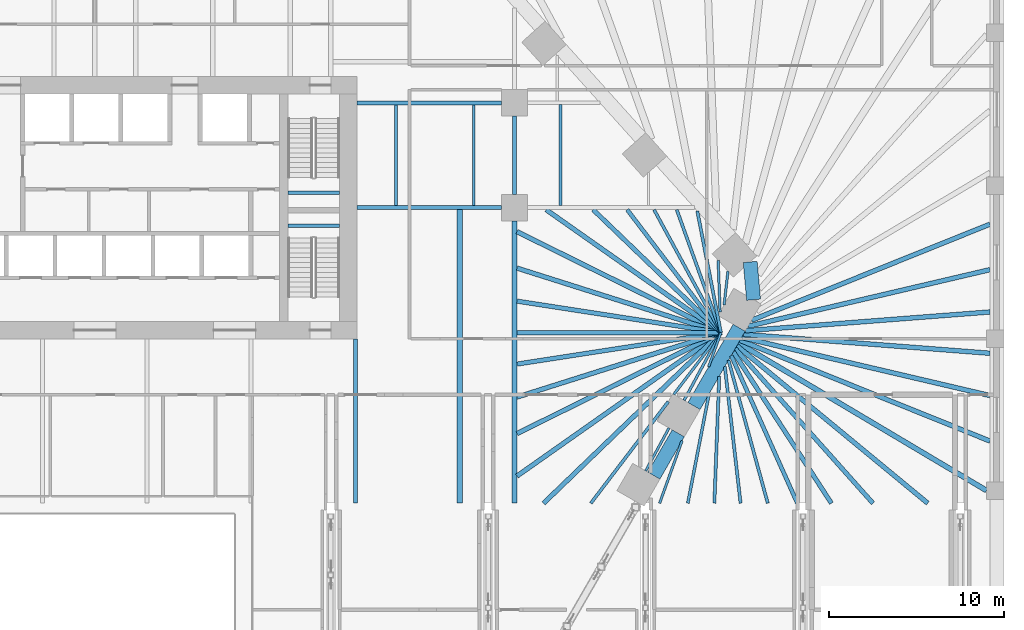
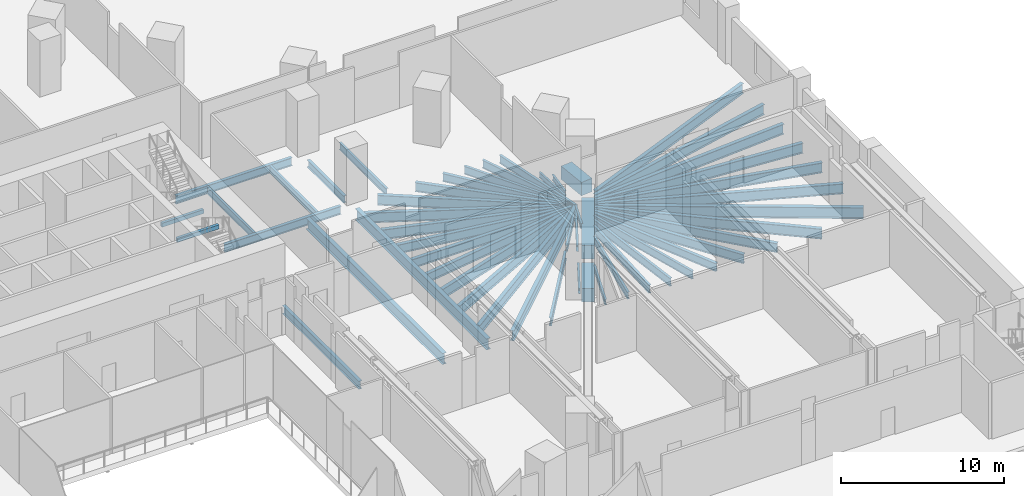
# One storey, part 9 of 32: 52 beams.
"""IFC4 building model written with IfcOpenShell, lengths in metres."""

from ifc_helpers import new_model, si_unit, direction, frame, origin, origin_2d, place, context, subcontext, project, spatial, rectangle, i_section, extrude, material, material_profile, profile_set, type_object, element, save


model = new_model("IFC4")

# Units and contexts
model_context = context("Model", 3, precision=1e-05, world=origin(), true_north=direction((0.0, 1.0)))
body_context = subcontext(model_context, "Body", "Model", "MODEL_VIEW")
ifc_project = project(units=[si_unit("LENGTHUNIT", "METRE"), si_unit("AREAUNIT", "SQUARE_METRE"), si_unit("VOLUMEUNIT", "CUBIC_METRE"), si_unit("PLANEANGLEUNIT", "RADIAN"), si_unit("MASSUNIT", "GRAM", prefix="KILO")], contexts=[model_context])

# Site, building, storey
site_placement = place(None, origin())
site = spatial("IfcSite", under=ifc_project, at=site_placement, CompositionType="ELEMENT")
building_placement = place(site_placement, origin())
building = spatial("IfcBuilding", under=site, at=building_placement, Name="Isthmus Gate Tower", CompositionType="ELEMENT")
storey_placement = place(building_placement, frame((0.0, 0.0, 18.0)))
storey = spatial("IfcBuildingStorey", under=building, at=storey_placement, Name="L02", CompositionType="ELEMENT", Elevation=18.0)

# Beams
ifc_material_1 = material(Name="Concrete f'c 70 MPa", Category="concrete")
ifc_material_profile_1 = material_profile(ifc_material_1, rectangle(XDim=0.800048828125, YDim=1.0, at=origin_2d()), Name="RC 800X1000")
ifc_profile_set_1 = profile_set([ifc_material_profile_1], Name="Concrete f'c 70 MPa")
beam_type_1 = type_object("IfcBeamType", Name="RC TUBE RING BEAM 800 X 1000", PredefinedType="BEAM", material=ifc_profile_set_1)
beam_1_placement = place(storey_placement, frame((37.483154296875, 4.40185546875, -0.89990234375), z_axis=(0.089421511639, -0.995993872098, 0.0), x_axis=(0.995993872098, 0.089421511639, 0.0)))
element("IfcBeam", 1, at=beam_1_placement, inside=storey, type_object=beam_type_1, Name="str-ringbeam-L02-05", PredefinedType="BEAM", context=body_context, shape_type="SweptSolid", body=[
    extrude(rectangle(XDim=0.800048828125, YDim=1.0, at=origin_2d()), origin(), (0.0, 0.0, 1.0), 2.17333984375),
])
beam_2_placement = place(storey_placement, frame((36.8544921875, 0.6337890625, -0.89990234375), z_axis=(-0.50000453793, -0.866022783793, 0.0), x_axis=(0.866022783793, -0.50000453793, 0.0)))
element("IfcBeam", 2, at=beam_2_placement, inside=storey, type_object=beam_type_1, Name="str-ringbeam-L02-06", PredefinedType="BEAM", context=body_context, shape_type="SweptSolid", body=[
    extrude(rectangle(XDim=0.800048828125, YDim=1.0, at=origin_2d()), origin(), (0.0, 0.0, 1.0), 5.16943359375),
])
beam_3_placement = place(storey_placement, frame((33.369873046875, -5.40185546875, -0.89990234375), z_axis=(-0.500012514453, -0.866018178441, 0.0), x_axis=(0.866018178441, -0.500012514453, 0.0)))
element("IfcBeam", 3, at=beam_3_placement, inside=storey, type_object=beam_type_1, Name="str-ringbeam-L02-07", PredefinedType="BEAM", context=body_context, shape_type="SweptSolid", body=[
    extrude(rectangle(XDim=0.800048828125, YDim=1.0, at=origin_2d()), origin(), (0.0, 0.0, 1.0), 2.79296875),
])
ifc_material_2 = material(Name="Concrete f'c 40 MPa", Category="concrete")
ifc_material_profile_2 = material_profile(ifc_material_2, rectangle(XDim=0.199951171875, YDim=0.300048828125, at=origin_2d()), Name="STAIR LANDING BEAM RC 200 X 300")
ifc_profile_set_2 = profile_set([ifc_material_profile_2], Name="Concrete f'c 40 MPa")
beam_type_2 = type_object("IfcBeamType", Name="STAIR LANDING BEAM RC 200 X 300", PredefinedType="BEAM", material=ifc_profile_set_2)
for number, where, z_axis, x_axis, name in (
    (4, (11.050048828125, 8.3701171875, 1.89990234375), (1.0, 0.0, 0.0), (0.0, 1.0, 0.0), "L02 ST2 landing beam 1"),
    (5, (11.050048828125, 6.47998046875, 1.89990234375), (1.0, 0.0, 0.0), (0.0, 1.0, 0.0), "L02 ST8 landing beam 1"),
):
    element("IfcBeam", number, at=place(storey_placement, frame(where, z_axis=z_axis, x_axis=x_axis)), inside=storey, type_object=beam_type_2, Name=name, PredefinedType="BEAM", context=body_context, shape_type="SweptSolid", body=[
        extrude(rectangle(XDim=0.199951171875, YDim=0.300048828125, at=origin_2d()), origin(), (0.0, 0.0, 1.0), 2.949951171875),
    ])
ifc_material_3 = material(Name="Structural steel ASTM A992 Gr 50", Category="steel")
ifc_material_profile_3 = material_profile(ifc_material_3, i_section(OverallWidth=0.1396484375, OverallDepth=0.4033203125, WebThickness=0.00634765625, FlangeThickness=0.010986328125, at=origin_2d()), Name="W16X31")
ifc_profile_set_3 = profile_set([ifc_material_profile_3], Name="Structural steel ASTM A992 Gr 50")
beam_type_3 = type_object("IfcBeamType", Name="STEEL FLOOR BEAM W16X31", PredefinedType="JOIST", material=ifc_profile_set_3)
beam_4_placement = place(storey_placement, frame((35.99072265625, 1.9375, -0.6015625), z_axis=(0.114647939281, 0.993406185817, 0.0), x_axis=(-0.993406185817, 0.114647939281, 0.0)))
element("IfcBeam", 6, at=beam_4_placement, inside=storey, type_object=beam_type_3, Name="str-beam-L02-18-09", PredefinedType="JOIST", context=body_context, shape_type="SweptSolid", body=[
    extrude(i_section(OverallWidth=0.1396484375, OverallDepth=0.4033203125, WebThickness=0.00634765625, FlangeThickness=0.010986328125, at=origin_2d()), origin(), (0.0, 0.0, 1.0), 1.9443359375),
])
beam_5_placement = place(storey_placement, frame((35.7626953125, 1.54296875, -0.6015625), z_axis=(-0.038261740733, 0.999267751504, 0.0), x_axis=(-0.999267751504, -0.038261740733, 0.0)))
element("IfcBeam", 7, at=beam_5_placement, inside=storey, type_object=beam_type_3, Name="str-beam-L02-18-11", PredefinedType="JOIST", context=body_context, shape_type="SweptSolid", body=[
    extrude(i_section(OverallWidth=0.1396484375, OverallDepth=0.4033203125, WebThickness=0.00634765625, FlangeThickness=0.010986328125, at=origin_2d()), origin(), (0.0, 0.0, 1.0), 2.954345703125),
])
beam_6_placement = place(storey_placement, frame((32.842041015625, -5.09716796875, -0.6015625), z_axis=(-0.477743551145, -0.878499345099, 0.0), x_axis=(0.878499345099, -0.477743551145, 0.0)))
element("IfcBeam", 8, at=beam_6_placement, inside=storey, type_object=beam_type_3, Name="str-beam-L02-18-43", PredefinedType="JOIST", context=body_context, shape_type="SweptSolid", body=[
    extrude(i_section(OverallWidth=0.1396484375, OverallDepth=0.4033203125, WebThickness=0.00634765625, FlangeThickness=0.010986328125, at=origin_2d()), origin(), (0.0, 0.0, 1.0), 2.793701171875),
])
beam_7_placement = place(storey_placement, frame((35.80810546875, 0.357421875, -0.6015625), z_axis=(-0.337988055649, -0.941150399372, 0.0), x_axis=(0.941150399372, -0.337988055649, 0.0)))
element("IfcBeam", 9, at=beam_7_placement, inside=storey, type_object=beam_type_3, Name="str-beam-L02-18-44", PredefinedType="JOIST", context=body_context, shape_type="SweptSolid", body=[
    extrude(i_section(OverallWidth=0.1396484375, OverallDepth=0.4033203125, WebThickness=0.00634765625, FlangeThickness=0.010986328125, at=origin_2d()), origin(), (0.0, 0.0, 1.0), 2.06884765625),
])
beam_8_placement = place(storey_placement, frame((33.58837890625, -5.8232421875, -0.6015625), z_axis=(-0.338036930697, -0.941132845822, 0.0), x_axis=(0.941132845822, -0.338036930697, 0.0)))
element("IfcBeam", 10, at=beam_8_placement, inside=storey, type_object=beam_type_3, Name="str-beam-L02-18-45", PredefinedType="JOIST", context=body_context, shape_type="SweptSolid", body=[
    extrude(i_section(OverallWidth=0.1396484375, OverallDepth=0.4033203125, WebThickness=0.00634765625, FlangeThickness=0.010986328125, at=origin_2d()), origin(), (0.0, 0.0, 1.0), 3.80029296875),
])
ifc_material_4 = material(Name="Structural steel ASTM A992 Gr 50", Category="steel")
ifc_material_profile_4 = material_profile(ifc_material_4, i_section(OverallWidth=0.15234375, OverallDepth=0.45068359375, WebThickness=0.0078125, FlangeThickness=0.010986328125, at=origin_2d()), Name="W18X35")
ifc_profile_set_4 = profile_set([ifc_material_profile_4], Name="Structural steel ASTM A992 Gr 50")
beam_type_4 = type_object("IfcBeamType", Name="STEEL FLOOR BEAM W18X35", PredefinedType="JOIST", material=ifc_profile_set_4)
beam_9_placement = place(storey_placement, frame((35.80810546875, 0.357421875, -0.62548828125), z_axis=(-0.606188892805, -0.795320706532, 0.0), x_axis=(0.795320706532, -0.606188892805, 0.0)))
element("IfcBeam", 11, at=beam_9_placement, inside=storey, type_object=beam_type_4, Name="str-beam-L02-18-40", PredefinedType="JOIST", context=body_context, shape_type="SweptSolid", body=[
    extrude(i_section(OverallWidth=0.15234375, OverallDepth=0.45068359375, WebThickness=0.0078125, FlangeThickness=0.010986328125, at=origin_2d()), origin(), (0.0, 0.0, 1.0), 4.443115234375),
])
beam_10_placement = place(storey_placement, frame((35.80810546875, 0.357421875, -0.62548828125), z_axis=(-0.477718708992, -0.878512854248, 0.0), x_axis=(0.878512854248, -0.477718708992, 0.0)))
element("IfcBeam", 12, at=beam_10_placement, inside=storey, type_object=beam_type_4, Name="str-beam-L02-18-42", PredefinedType="JOIST", context=body_context, shape_type="SweptSolid", body=[
    extrude(i_section(OverallWidth=0.15234375, OverallDepth=0.45068359375, WebThickness=0.0078125, FlangeThickness=0.010986328125, at=origin_2d()), origin(), (0.0, 0.0, 1.0), 4.408447265625),
])
ifc_material_5 = material(Name="Structural steel ASTM A992 Gr 50", Category="steel")
ifc_material_profile_5 = material_profile(ifc_material_5, i_section(OverallWidth=0.1650390625, OverallDepth=0.52392578125, WebThickness=0.009521484375, FlangeThickness=0.010986328125, at=origin_2d()), Name="W21X44")
ifc_profile_set_5 = profile_set([ifc_material_profile_5], Name="Structural steel ASTM A992 Gr 50")
beam_type_5 = type_object("IfcBeamType", Name="STEEL FLOOR BEAM W21X44", PredefinedType="JOIST", material=ifc_profile_set_5)
beam_11_placement = place(storey_placement, frame((35.1259765625, -3.159912109375, -0.661865234375), z_axis=(-0.190395701224, -0.981707429408, 0.0), x_axis=(0.981707429408, -0.190395701224, 0.0)))
element("IfcBeam", 13, at=beam_11_placement, inside=storey, type_object=beam_type_5, Name="str-beam-L02-18-46", PredefinedType="JOIST", context=body_context, shape_type="SweptSolid", body=[
    extrude(i_section(OverallWidth=0.1650390625, OverallDepth=0.52392578125, WebThickness=0.009521484375, FlangeThickness=0.010986328125, at=origin_2d()), origin(), (0.0, 0.0, 1.0), 6.356201171875),
])
for number, where, z_axis, x_axis, name in (
    (14, (17.223876953125, 7.6142578125, -0.661865234375), (0.0, 1.0, 0.0), (-1.0, 0.0, 0.0), "str-beam-L02-27-00"),
    (15, (21.67138671875, 7.6142578125, -0.661865234375), (0.0, 1.0, 0.0), (-1.0, 0.0, 0.0), "str-beam-L02-27-01"),
):
    element("IfcBeam", number, at=place(storey_placement, frame(where, z_axis=z_axis, x_axis=x_axis)), inside=storey, type_object=beam_type_5, Name=name, PredefinedType="JOIST", context=body_context, shape_type="SweptSolid", body=[
        extrude(i_section(OverallWidth=0.1650390625, OverallDepth=0.52392578125, WebThickness=0.009521484375, FlangeThickness=0.010986328125, at=origin_2d()), origin(), (0.0, 0.0, 1.0), 5.771484375),
    ])
beam_12_placement = place(storey_placement, frame((26.625244140625, 7.6142578125, -0.661865234375), z_axis=(0.0, 1.0, 0.0), x_axis=(-1.0, 0.0, 0.0)))
element("IfcBeam", 16, at=beam_12_placement, inside=storey, type_object=beam_type_5, Name="str-beam-L02-29-00", PredefinedType="JOIST", context=body_context, shape_type="SweptSolid", body=[
    extrude(i_section(OverallWidth=0.1650390625, OverallDepth=0.52392578125, WebThickness=0.009521484375, FlangeThickness=0.010986328125, at=origin_2d()), origin(), (0.0, 0.0, 1.0), 5.781005859375),
])
ifc_material_6 = material(Name="Structural steel ASTM A992 Gr 50", Category="steel")
ifc_material_profile_6 = material_profile(ifc_material_6, i_section(OverallWidth=0.177734375, OverallDepth=0.60009765625, WebThickness=0.009521484375, FlangeThickness=0.0126953125, at=origin_2d()), Name="W24X55")
ifc_profile_set_6 = profile_set([ifc_material_profile_6], Name="Structural steel ASTM A992 Gr 50")
beam_type_6 = type_object("IfcBeamType", Name="STEEL FLOOR BEAM W24X55", PredefinedType="JOIST", material=ifc_profile_set_6)
beam_13_placement = place(storey_placement, frame((35.80810546875, 0.357421875, -0.699951171875), z_axis=(-0.190392692599, 0.981708012907, 0.0), x_axis=(-0.981708012907, -0.190392692599, 0.0)))
element("IfcBeam", 17, at=beam_13_placement, inside=storey, type_object=beam_type_6, Name="str-beam-L02-18-13", PredefinedType="JOIST", context=body_context, shape_type="SweptSolid", body=[
    extrude(i_section(OverallWidth=0.177734375, OverallDepth=0.60009765625, WebThickness=0.009521484375, FlangeThickness=0.0126953125, at=origin_2d()), origin(), (0.0, 0.0, 1.0), 7.08349609375),
])
beam_14_placement = place(storey_placement, frame((35.80810546875, 0.357421875, -0.699951171875), z_axis=(-0.338005096106, 0.941144279591, 0.0), x_axis=(-0.941144279591, -0.338005096106, 0.0)))
element("IfcBeam", 18, at=beam_14_placement, inside=storey, type_object=beam_type_6, Name="str-beam-L02-18-15", PredefinedType="JOIST", context=body_context, shape_type="SweptSolid", body=[
    extrude(i_section(OverallWidth=0.177734375, OverallDepth=0.60009765625, WebThickness=0.009521484375, FlangeThickness=0.0126953125, at=origin_2d()), origin(), (0.0, 0.0, 1.0), 7.4677734375),
])
beam_15_placement = place(storey_placement, frame((35.80810546875, 0.357421875, -0.699951171875), z_axis=(-0.477709969799, 0.8785176064, 0.0), x_axis=(-0.8785176064, -0.477709969799, 0.0)))
element("IfcBeam", 19, at=beam_15_placement, inside=storey, type_object=beam_type_6, Name="str-beam-L02-18-17", PredefinedType="JOIST", context=body_context, shape_type="SweptSolid", body=[
    extrude(i_section(OverallWidth=0.177734375, OverallDepth=0.60009765625, WebThickness=0.009521484375, FlangeThickness=0.0126953125, at=origin_2d()), origin(), (0.0, 0.0, 1.0), 8.000244140625),
])
beam_16_placement = place(storey_placement, frame((32.799560546875, -3.589599609375, -0.699951171875), z_axis=(-0.606242544723, -0.795279810487, 0.0), x_axis=(0.795279810487, -0.606242544723, 0.0)))
element("IfcBeam", 20, at=beam_16_placement, inside=storey, type_object=beam_type_6, Name="str-beam-L02-18-41", PredefinedType="JOIST", context=body_context, shape_type="SweptSolid", body=[
    extrude(i_section(OverallWidth=0.177734375, OverallDepth=0.60009765625, WebThickness=0.009521484375, FlangeThickness=0.0126953125, at=origin_2d()), origin(), (0.0, 0.0, 1.0), 7.305908203125),
])
beam_17_placement = place(storey_placement, frame((35.71240234375, -2.14453125, -0.699951171875), z_axis=(-0.038332396182, -0.999265043621, 0.0), x_axis=(0.999265043621, -0.038332396182, 0.0)))
element("IfcBeam", 21, at=beam_17_placement, inside=storey, type_object=beam_type_6, Name="str-beam-L02-18-47", PredefinedType="JOIST", context=body_context, shape_type="SweptSolid", body=[
    extrude(i_section(OverallWidth=0.177734375, OverallDepth=0.60009765625, WebThickness=0.009521484375, FlangeThickness=0.0126953125, at=origin_2d()), origin(), (0.0, 0.0, 1.0), 7.2607421875),
])
beam_18_placement = place(storey_placement, frame((36.032958984375, -1.589111328125, -0.699951171875), z_axis=(0.114670071899, -0.993403631265, 0.0), x_axis=(0.993403631265, 0.114670071899, 0.0)))
element("IfcBeam", 22, at=beam_18_placement, inside=storey, type_object=beam_type_6, Name="str-beam-L02-18-48", PredefinedType="JOIST", context=body_context, shape_type="SweptSolid", body=[
    extrude(i_section(OverallWidth=0.177734375, OverallDepth=0.60009765625, WebThickness=0.009521484375, FlangeThickness=0.0126953125, at=origin_2d()), origin(), (0.0, 0.0, 1.0), 7.862548828125),
])
beam_19_placement = place(storey_placement, frame((36.2431640625, -1.22509765625, -0.699951171875), z_axis=(0.264966390517, -0.964257648088, 0.0), x_axis=(0.964257648088, 0.264966390517, 0.0)))
element("IfcBeam", 23, at=beam_19_placement, inside=storey, type_object=beam_type_6, Name="str-beam-L02-18-49", PredefinedType="JOIST", context=body_context, shape_type="SweptSolid", body=[
    extrude(i_section(OverallWidth=0.177734375, OverallDepth=0.60009765625, WebThickness=0.009521484375, FlangeThickness=0.0126953125, at=origin_2d()), origin(), (0.0, 0.0, 1.0), 8.477783203125),
])
ifc_material_7 = material(Name="Structural steel ASTM A992 Gr 50", Category="steel")
ifc_material_profile_7 = material_profile(ifc_material_7, i_section(OverallWidth=0.228515625, OverallDepth=0.603271484375, WebThickness=0.010986328125, FlangeThickness=0.014404296875, at=origin_2d()), Name="W24X68")
ifc_profile_set_7 = profile_set([ifc_material_profile_7], Name="Structural steel ASTM A992 Gr 50")
beam_type_7 = type_object("IfcBeamType", Name="STEEL FLOOR BEAM W24X68", PredefinedType="JOIST", material=ifc_profile_set_7)
beam_20_placement = place(storey_placement, frame((14.90869140625, -9.39990234375, -0.70166015625), z_axis=(0.0, 1.0, 0.0), x_axis=(-1.0, 0.0, 0.0)))
element("IfcBeam", 24, at=beam_20_placement, inside=storey, type_object=beam_type_7, Name="str-beam-L02-17-06", PredefinedType="JOIST", context=body_context, shape_type="SweptSolid", body=[
    extrude(i_section(OverallWidth=0.228515625, OverallDepth=0.603271484375, WebThickness=0.010986328125, FlangeThickness=0.014404296875, at=origin_2d()), origin(), (0.0, 0.0, 1.0), 9.39990234375),
])
beam_21_placement = place(storey_placement, frame((35.80810546875, 0.357421875, -0.70166015625), z_axis=(-0.606205512544, 0.795308038788, 0.0), x_axis=(-0.795308038788, -0.606205512544, 0.0)))
element("IfcBeam", 25, at=beam_21_placement, inside=storey, type_object=beam_type_7, Name="str-beam-L02-18-19", PredefinedType="JOIST", context=body_context, shape_type="SweptSolid", body=[
    extrude(i_section(OverallWidth=0.228515625, OverallDepth=0.603271484375, WebThickness=0.010986328125, FlangeThickness=0.014404296875, at=origin_2d()), origin(), (0.0, 0.0, 1.0), 8.837158203125),
])
beam_22_placement = place(storey_placement, frame((36.397705078125, -0.95751953125, -0.70166015625), z_axis=(0.409069542294, -0.912503210716, 0.0), x_axis=(0.912503210716, 0.409069542294, 0.0)))
element("IfcBeam", 26, at=beam_22_placement, inside=storey, type_object=beam_type_7, Name="str-beam-L02-18-50", PredefinedType="JOIST", context=body_context, shape_type="SweptSolid", body=[
    extrude(i_section(OverallWidth=0.228515625, OverallDepth=0.603271484375, WebThickness=0.010986328125, FlangeThickness=0.014404296875, at=origin_2d()), origin(), (0.0, 0.0, 1.0), 9.251953125),
])
ifc_material_8 = material(Name="Structural steel ASTM A992 Gr 50", Category="steel")
ifc_material_profile_8 = material_profile(ifc_material_8, i_section(OverallWidth=0.25390625, OverallDepth=0.679443359375, WebThickness=0.010986328125, FlangeThickness=0.015869140625, at=origin_2d()), Name="W27X84")
ifc_profile_set_8 = profile_set([ifc_material_profile_8], Name="Structural steel ASTM A992 Gr 50")
beam_type_8 = type_object("IfcBeamType", Name="STEEL FLOOR BEAM W27X84", PredefinedType="JOIST", material=ifc_profile_set_8)
beam_23_placement = place(storey_placement, frame((35.80810546875, 0.357421875, -0.73974609375), z_axis=(-0.720514533544, 0.693439836577, 0.0), x_axis=(-0.693439836577, -0.720514533544, 0.0)))
element("IfcBeam", 27, at=beam_23_placement, inside=storey, type_object=beam_type_8, Name="str-beam-L02-18-21", PredefinedType="JOIST", context=body_context, shape_type="SweptSolid", body=[
    extrude(i_section(OverallWidth=0.25390625, OverallDepth=0.679443359375, WebThickness=0.010986328125, FlangeThickness=0.015869140625, at=origin_2d()), origin(), (0.0, 0.0, 1.0), 10.135498046875),
])
beam_24_placement = place(storey_placement, frame((35.80810546875, 0.357421875, -0.73974609375), z_axis=(-0.988281112388, 0.152644825976, 0.0), x_axis=(-0.152644825976, -0.988281112388, 0.0)))
element("IfcBeam", 28, at=beam_24_placement, inside=storey, type_object=beam_type_8, Name="str-beam-L02-18-29", PredefinedType="JOIST", context=body_context, shape_type="SweptSolid", body=[
    extrude(i_section(OverallWidth=0.25390625, OverallDepth=0.679443359375, WebThickness=0.010986328125, FlangeThickness=0.015869140625, at=origin_2d()), origin(), (0.0, 0.0, 1.0), 11.80029296875),
])
beam_25_placement = place(storey_placement, frame((35.80810546875, 0.357421875, -0.73974609375), z_axis=(-1.0, 0.0, 0.0), x_axis=(0.0, -1.0, 0.0)))
element("IfcBeam", 29, at=beam_25_placement, inside=storey, type_object=beam_type_8, Name="str-beam-L02-18-31", PredefinedType="JOIST", context=body_context, shape_type="SweptSolid", body=[
    extrude(i_section(OverallWidth=0.25390625, OverallDepth=0.679443359375, WebThickness=0.010986328125, FlangeThickness=0.015869140625, at=origin_2d()), origin(), (0.0, 0.0, 1.0), 11.662109375),
])
beam_26_placement = place(storey_placement, frame((35.80810546875, 0.357421875, -0.73974609375), z_axis=(-0.988281112388, -0.152644825976, 0.0), x_axis=(0.152644825976, -0.988281112388, 0.0)))
element("IfcBeam", 30, at=beam_26_placement, inside=storey, type_object=beam_type_8, Name="str-beam-L02-18-34", PredefinedType="JOIST", context=body_context, shape_type="SweptSolid", body=[
    extrude(i_section(OverallWidth=0.25390625, OverallDepth=0.679443359375, WebThickness=0.010986328125, FlangeThickness=0.015869140625, at=origin_2d()), origin(), (0.0, 0.0, 1.0), 11.80029296875),
])
beam_27_placement = place(storey_placement, frame((36.521240234375, -0.743408203125, -0.73974609375), z_axis=(0.54355552701, -0.83937321202, 0.0), x_axis=(0.83937321202, 0.54355552701, 0.0)))
element("IfcBeam", 31, at=beam_27_placement, inside=storey, type_object=beam_type_8, Name="str-beam-L02-18-51", PredefinedType="JOIST", context=body_context, shape_type="SweptSolid", body=[
    extrude(i_section(OverallWidth=0.25390625, OverallDepth=0.679443359375, WebThickness=0.010986328125, FlangeThickness=0.015869140625, at=origin_2d()), origin(), (0.0, 0.0, 1.0), 10.31298828125),
])
beam_28_placement = place(storey_placement, frame((36.626708984375, -0.560791015625, -0.73974609375), z_axis=(0.665316813357, -0.74656114141, 0.0), x_axis=(0.74656114141, 0.665316813357, 0.0)))
element("IfcBeam", 32, at=beam_28_placement, inside=storey, type_object=beam_type_8, Name="str-beam-L02-18-52", PredefinedType="JOIST", context=body_context, shape_type="SweptSolid", body=[
    extrude(i_section(OverallWidth=0.25390625, OverallDepth=0.679443359375, WebThickness=0.010986328125, FlangeThickness=0.015869140625, at=origin_2d()), origin(), (0.0, 0.0, 1.0), 11.83984375),
])
ifc_material_9 = material(Name="Structural steel ASTM A992 Gr 50", Category="steel")
ifc_material_profile_9 = material_profile(ifc_material_9, i_section(OverallWidth=0.2666015625, OverallDepth=0.7587890625, WebThickness=0.014404296875, FlangeThickness=0.01904296875, at=origin_2d()), Name="W30X108")
ifc_profile_set_9 = profile_set([ifc_material_profile_9], Name="Structural steel ASTM A992 Gr 50")
beam_type_9 = type_object("IfcBeamType", Name="STEEL FLOOR BEAM W30X108", PredefinedType="JOIST", material=ifc_profile_set_9)
beam_29_placement = place(storey_placement, frame((37.21923828125, 0.4658203125, -0.779296875), z_axis=(0.997066456504, 0.076540716717, 0.0), x_axis=(-0.076540716717, 0.997066456504, 0.0)))
element("IfcBeam", 33, at=beam_29_placement, inside=storey, type_object=beam_type_9, Name="str-beam-L02-18-00", PredefinedType="JOIST", context=body_context, shape_type="SweptSolid", body=[
    extrude(i_section(OverallWidth=0.2666015625, OverallDepth=0.7587890625, WebThickness=0.014404296875, FlangeThickness=0.01904296875, at=origin_2d()), origin(), (0.0, 0.0, 1.0), 14.021728515625),
])
beam_30_placement = place(storey_placement, frame((37.367431640625, 0.722412109375, -0.779296875), z_axis=(0.973697264959, 0.227845641195, 0.0), x_axis=(-0.227845641195, 0.973697264959, 0.0)))
element("IfcBeam", 34, at=beam_30_placement, inside=storey, type_object=beam_type_9, Name="str-beam-L02-18-01", PredefinedType="JOIST", context=body_context, shape_type="SweptSolid", body=[
    extrude(i_section(OverallWidth=0.2666015625, OverallDepth=0.7587890625, WebThickness=0.014404296875, FlangeThickness=0.01904296875, at=origin_2d()), origin(), (0.0, 0.0, 1.0), 14.206298828125),
])
beam_31_placement = place(storey_placement, frame((37.565673828125, 1.06591796875, -0.779296875), z_axis=(0.927507979813, 0.373803353895, 0.0), x_axis=(-0.373803353895, 0.927507979813, 0.0)))
element("IfcBeam", 35, at=beam_31_placement, inside=storey, type_object=beam_type_9, Name="str-beam-L02-18-02", PredefinedType="JOIST", context=body_context, shape_type="SweptSolid", body=[
    extrude(i_section(OverallWidth=0.2666015625, OverallDepth=0.7587890625, WebThickness=0.014404296875, FlangeThickness=0.01904296875, at=origin_2d()), origin(), (0.0, 0.0, 1.0), 14.699951171875),
])
beam_32_placement = place(storey_placement, frame((35.80810546875, 0.357421875, -0.779296875), z_axis=(-0.817931460727, -0.575315674698, 0.0), x_axis=(0.575315674698, -0.817931460727, 0.0)))
element("IfcBeam", 36, at=beam_32_placement, inside=storey, type_object=beam_type_9, Name="str-beam-L02-18-38", PredefinedType="JOIST", context=body_context, shape_type="SweptSolid", body=[
    extrude(i_section(OverallWidth=0.2666015625, OverallDepth=0.7587890625, WebThickness=0.014404296875, FlangeThickness=0.01904296875, at=origin_2d()), origin(), (0.0, 0.0, 1.0), 14.258056640625),
])
beam_33_placement = place(storey_placement, frame((35.80810546875, 0.357421875, -0.779296875), z_axis=(-0.720519252878, -0.693434932948, 0.0), x_axis=(0.693434932948, -0.720519252878, 0.0)))
element("IfcBeam", 37, at=beam_33_placement, inside=storey, type_object=beam_type_9, Name="str-beam-L02-18-39", PredefinedType="JOIST", context=body_context, shape_type="SweptSolid", body=[
    extrude(i_section(OverallWidth=0.2666015625, OverallDepth=0.7587890625, WebThickness=0.014404296875, FlangeThickness=0.01904296875, at=origin_2d()), origin(), (0.0, 0.0, 1.0), 14.071044921875),
])
beam_34_placement = place(storey_placement, frame((36.7216796875, -0.39599609375, -0.779296875), z_axis=(0.771498809155, -0.636230765896, 0.0), x_axis=(0.636230765896, 0.771498809155, 0.0)))
element("IfcBeam", 38, at=beam_34_placement, inside=storey, type_object=beam_type_9, Name="str-beam-L02-18-53", PredefinedType="JOIST", context=body_context, shape_type="SweptSolid", body=[
    extrude(i_section(OverallWidth=0.2666015625, OverallDepth=0.7587890625, WebThickness=0.014404296875, FlangeThickness=0.01904296875, at=origin_2d()), origin(), (0.0, 0.0, 1.0), 14.15185546875),
])
beam_35_placement = place(storey_placement, frame((36.90234375, -0.08349609375, -0.779296875), z_axis=(0.927502503349, -0.373816942208, 0.0), x_axis=(0.373816942208, 0.927502503349, 0.0)))
element("IfcBeam", 39, at=beam_35_placement, inside=storey, type_object=beam_type_9, Name="str-beam-L02-18-55", PredefinedType="JOIST", context=body_context, shape_type="SweptSolid", body=[
    extrude(i_section(OverallWidth=0.2666015625, OverallDepth=0.7587890625, WebThickness=0.014404296875, FlangeThickness=0.01904296875, at=origin_2d()), origin(), (0.0, 0.0, 1.0), 15.415283203125),
])
beam_36_placement = place(storey_placement, frame((36.996337890625, 0.079345703125, -0.779296875), z_axis=(0.973696079563, -0.22785070692, 0.0), x_axis=(0.22785070692, 0.973696079563, 0.0)))
element("IfcBeam", 40, at=beam_36_placement, inside=storey, type_object=beam_type_9, Name="str-beam-L02-18-56", PredefinedType="JOIST", context=body_context, shape_type="SweptSolid", body=[
    extrude(i_section(OverallWidth=0.2666015625, OverallDepth=0.7587890625, WebThickness=0.014404296875, FlangeThickness=0.01904296875, at=origin_2d()), origin(), (0.0, 0.0, 1.0), 14.58740234375),
])
beam_37_placement = place(storey_placement, frame((37.099609375, 0.25830078125, -0.779296875), z_axis=(0.997065949635, -0.076547319205, 0.0), x_axis=(0.076547319205, 0.997065949635, 0.0)))
element("IfcBeam", 41, at=beam_37_placement, inside=storey, type_object=beam_type_9, Name="str-beam-L02-18-57", PredefinedType="JOIST", context=body_context, shape_type="SweptSolid", body=[
    extrude(i_section(OverallWidth=0.2666015625, OverallDepth=0.7587890625, WebThickness=0.014404296875, FlangeThickness=0.01904296875, at=origin_2d()), origin(), (0.0, 0.0, 1.0), 14.141845703125),
])
ifc_material_10 = material(Name="Structural steel ASTM A992 Gr 50", Category="steel")
ifc_material_profile_10 = material_profile(ifc_material_10, i_section(OverallWidth=0.263427734375, OverallDepth=0.749267578125, WebThickness=0.0126953125, FlangeThickness=0.015869140625, at=origin_2d()), Name="W30X90")
ifc_profile_set_10 = profile_set([ifc_material_profile_10], Name="Structural steel ASTM A992 Gr 50")
beam_type_10 = type_object("IfcBeamType", Name="STEEL FLOOR BEAM W30X90", PredefinedType="JOIST", material=ifc_profile_set_10)
beam_38_placement = place(storey_placement, frame((35.80810546875, 0.357421875, -0.774658203125), z_axis=(-0.817923800079, 0.575326565756, 0.0), x_axis=(-0.575326565756, -0.817923800079, 0.0)))
element("IfcBeam", 42, at=beam_38_placement, inside=storey, type_object=beam_type_10, Name="str-beam-L02-18-23", PredefinedType="JOIST", context=body_context, shape_type="SweptSolid", body=[
    extrude(i_section(OverallWidth=0.263427734375, OverallDepth=0.749267578125, WebThickness=0.0126953125, FlangeThickness=0.015869140625, at=origin_2d()), origin(), (0.0, 0.0, 1.0), 12.21630859375),
])
beam_39_placement = place(storey_placement, frame((35.80810546875, 0.357421875, -0.774658203125), z_axis=(-0.896161406843, 0.443728219617, 0.0), x_axis=(-0.443728219617, -0.896161406843, 0.0)))
element("IfcBeam", 43, at=beam_39_placement, inside=storey, type_object=beam_type_10, Name="str-beam-L02-18-25", PredefinedType="JOIST", context=body_context, shape_type="SweptSolid", body=[
    extrude(i_section(OverallWidth=0.263427734375, OverallDepth=0.749267578125, WebThickness=0.0126953125, FlangeThickness=0.015869140625, at=origin_2d()), origin(), (0.0, 0.0, 1.0), 13.013427734375),
])
for number, where, z_axis, x_axis, name in (
    (44, (35.80810546875, 0.357421875, -0.774658203125), (-0.953396971943, 0.301718766221, 0.0), (-0.301718766221, -0.953396971943, 0.0), "str-beam-L02-18-27"),
    (45, (35.80810546875, 0.357421875, -0.774658203125), (-0.953396971943, -0.301718766221, 0.0), (0.301718766221, -0.953396971943, 0.0), "str-beam-L02-18-36"),
):
    element("IfcBeam", number, at=place(storey_placement, frame(where, z_axis=z_axis, x_axis=x_axis)), inside=storey, type_object=beam_type_10, Name=name, PredefinedType="JOIST", context=body_context, shape_type="SweptSolid", body=[
        extrude(i_section(OverallWidth=0.263427734375, OverallDepth=0.749267578125, WebThickness=0.0126953125, FlangeThickness=0.015869140625, at=origin_2d()), origin(), (0.0, 0.0, 1.0), 12.232177734375),
    ])
beam_40_placement = place(storey_placement, frame((35.80810546875, 0.357421875, -0.774658203125), z_axis=(-0.896168867013, -0.443713152607, 0.0), x_axis=(0.443713152607, -0.896168867013, 0.0)))
element("IfcBeam", 46, at=beam_40_placement, inside=storey, type_object=beam_type_10, Name="str-beam-L02-18-37", PredefinedType="JOIST", context=body_context, shape_type="SweptSolid", body=[
    extrude(i_section(OverallWidth=0.263427734375, OverallDepth=0.749267578125, WebThickness=0.0126953125, FlangeThickness=0.015869140625, at=origin_2d()), origin(), (0.0, 0.0, 1.0), 13.01318359375),
])
ifc_material_11 = material(Name="Structural steel ASTM A992 Gr 50", Category="steel")
ifc_material_profile_11 = material_profile(ifc_material_11, i_section(OverallWidth=0.2919921875, OverallDepth=0.8349609375, WebThickness=0.014404296875, FlangeThickness=0.01904296875, at=origin_2d()), Name="W33X118")
ifc_profile_set_11 = profile_set([ifc_material_profile_11], Name="Structural steel ASTM A992 Gr 50")
beam_type_11 = type_object("IfcBeamType", Name="STEEL FLOOR BEAM W33X118", PredefinedType="JOIST", material=ifc_profile_set_11)
beam_41_placement = place(storey_placement, frame((20.872314453125, -9.39990234375, -0.8173828125), z_axis=(0.0, 1.0, 0.0), x_axis=(-1.0, 0.0, 0.0)))
element("IfcBeam", 47, at=beam_41_placement, inside=storey, type_object=beam_type_11, Name="str-beam-L02-17-07", PredefinedType="JOIST", context=body_context, shape_type="SweptSolid", body=[
    extrude(i_section(OverallWidth=0.2919921875, OverallDepth=0.8349609375, WebThickness=0.014404296875, FlangeThickness=0.01904296875, at=origin_2d()), origin(), (0.0, 0.0, 1.0), 16.78564453125),
])
beam_42_placement = place(storey_placement, frame((36.812255859375, -0.239501953125, -0.8173828125), z_axis=(0.859572764509, -0.511013368235, 0.0), x_axis=(0.511013368235, 0.859572764509, 0.0)))
element("IfcBeam", 48, at=beam_42_placement, inside=storey, type_object=beam_type_11, Name="str-beam-L02-18-54", PredefinedType="JOIST", context=body_context, shape_type="SweptSolid", body=[
    extrude(i_section(OverallWidth=0.2919921875, OverallDepth=0.8349609375, WebThickness=0.014404296875, FlangeThickness=0.01904296875, at=origin_2d()), origin(), (0.0, 0.0, 1.0), 16.505615234375),
])
ifc_material_12 = material(Name="Structural steel ASTM A992 Gr 50", Category="steel")
ifc_material_profile_12 = material_profile(ifc_material_12, i_section(OverallWidth=0.20947265625, OverallDepth=0.533447265625, WebThickness=0.009521484375, FlangeThickness=0.015869140625, at=origin_2d()), Name="W21X62")
ifc_profile_set_12 = profile_set([ifc_material_profile_12], Name="Structural steel ASTM A992 Gr 50")
beam_type_12 = type_object("IfcBeamType", Name="STEEL GIRDER W21X62", PredefinedType="BEAM", material=ifc_profile_set_12)
beam_43_placement = place(storey_placement, frame((24.0, 8.25, -0.666748046875), z_axis=(0.0, 1.0, 0.0), x_axis=(-1.0, 0.0, 0.0)))
element("IfcBeam", 49, at=beam_43_placement, inside=storey, type_object=beam_type_12, Name="str-girder-L02-27", PredefinedType="BEAM", context=body_context, shape_type="SweptSolid", body=[
    extrude(i_section(OverallWidth=0.20947265625, OverallDepth=0.533447265625, WebThickness=0.009521484375, FlangeThickness=0.015869140625, at=origin_2d()), origin(), (0.0, 0.0, 1.0), 4.5),
])
ifc_material_13 = material(Name="Structural steel ASTM A992 Gr 50", Category="steel")
ifc_material_profile_13 = material_profile(ifc_material_13, i_section(OverallWidth=0.228515625, OverallDepth=0.6064453125, WebThickness=0.010986328125, FlangeThickness=0.017578125, at=origin_2d()), Name="W24X76")
ifc_profile_set_13 = profile_set([ifc_material_profile_13], Name="Structural steel ASTM A992 Gr 50")
beam_type_13 = type_object("IfcBeamType", Name="STEEL GIRDER W24X76", PredefinedType="BEAM", material=ifc_profile_set_13)
for number, where, z_axis, x_axis, name in (
    (50, (15.0, 7.5, -0.703125), (1.0, 0.0, 0.0), (0.0, 1.0, 0.0), "str-girder-L02-06"),
    (51, (15.0, 13.5, -0.703125), (1.0, 0.0, 0.0), (0.0, 1.0, 0.0), "str-girder-L02-09"),
):
    element("IfcBeam", number, at=place(storey_placement, frame(where, z_axis=z_axis, x_axis=x_axis)), inside=storey, type_object=beam_type_13, Name=name, PredefinedType="BEAM", context=body_context, shape_type="SweptSolid", body=[
        extrude(i_section(OverallWidth=0.228515625, OverallDepth=0.6064453125, WebThickness=0.010986328125, FlangeThickness=0.017578125, at=origin_2d()), origin(), (0.0, 0.0, 1.0), 8.25),
    ])
ifc_material_14 = material(Name="Structural steel ASTM A992 Gr 50", Category="steel")
ifc_material_profile_14 = material_profile(ifc_material_14, i_section(OverallWidth=0.2919921875, OverallDepth=0.8349609375, WebThickness=0.014404296875, FlangeThickness=0.01904296875, at=origin_2d()), Name="W33X118")
ifc_profile_set_14 = profile_set([ifc_material_profile_14], Name="Structural steel ASTM A992 Gr 50")
beam_type_14 = type_object("IfcBeamType", Name="STEEL GIRDER W33X118", PredefinedType="BEAM", material=ifc_profile_set_14)
beam_44_placement = place(storey_placement, frame((24.0, -9.39990234375, -0.8173828125), z_axis=(0.0, 1.0, 0.0), x_axis=(-1.0, 0.0, 0.0)))
element("IfcBeam", 52, at=beam_44_placement, inside=storey, type_object=beam_type_14, Name="str-girder-L02-26", PredefinedType="BEAM", context=body_context, shape_type="SweptSolid", body=[
    extrude(i_section(OverallWidth=0.2919921875, OverallDepth=0.8349609375, WebThickness=0.014404296875, FlangeThickness=0.01904296875, at=origin_2d()), origin(), (0.0, 0.0, 1.0), 16.14990234375),
])

save(model, "model.ifc")
